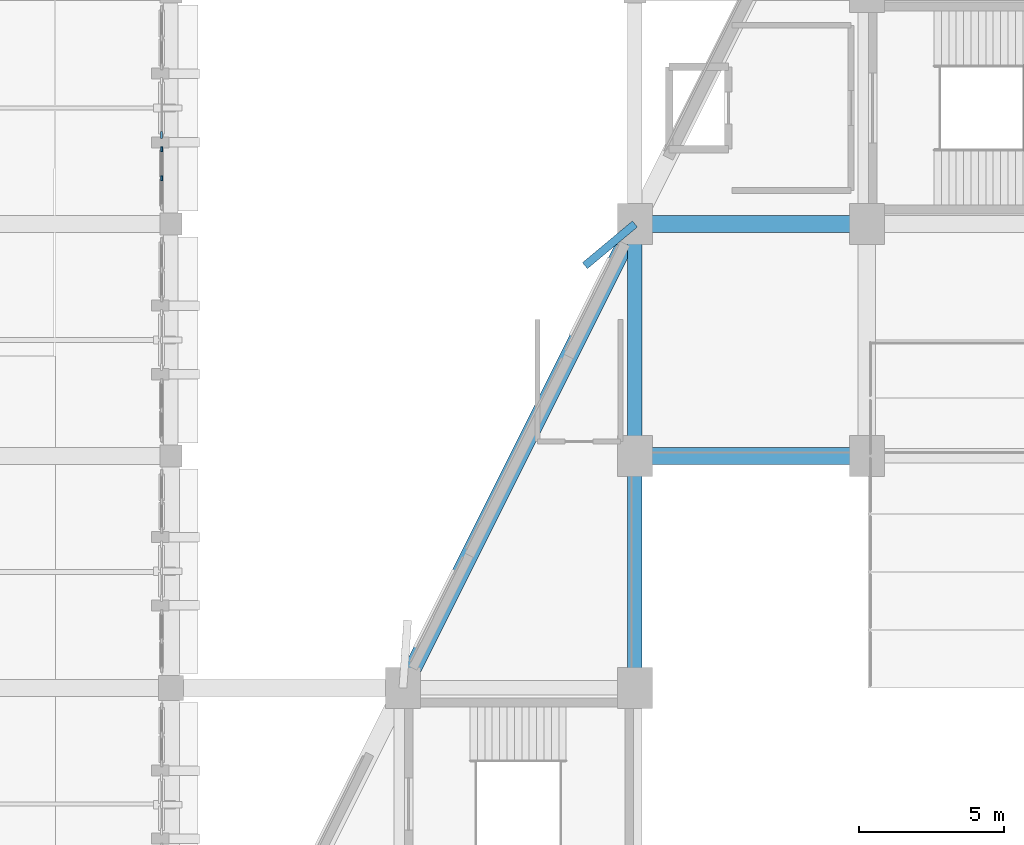
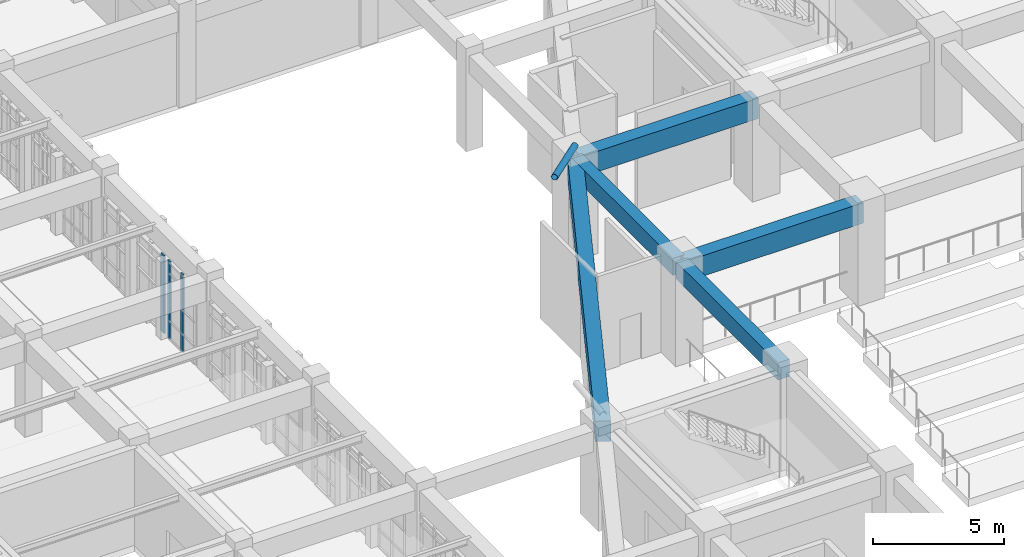
# One storey, part 25 of 155: 5 beams, 4 members, 2 elements without a shape of their own.
"""IFC4 building model written with IfcOpenShell, lengths in metres."""

from ifc_helpers import new_model, si_unit, direction, frame, origin, origin_2d, place, context, subcontext, project, spatial, rectangle, hollow_circle, extrude, material, layer, layer_set, material_profile, profile_set, type_object, element, aggregate, save


model = new_model("IFC4")

# Units and contexts
model_context = context("Model", 3, precision=1e-05, world=origin(), true_north=direction((0.0, 1.0)))
body_context = subcontext(model_context, "Body", "Model", "MODEL_VIEW")
ifc_project = project(units=[si_unit("LENGTHUNIT", "METRE"), si_unit("AREAUNIT", "SQUARE_METRE"), si_unit("VOLUMEUNIT", "CUBIC_METRE"), si_unit("PLANEANGLEUNIT", "RADIAN"), si_unit("MASSUNIT", "GRAM", prefix="KILO")], contexts=[model_context])

# Site, building, storey
site_placement = place(None, origin())
site = spatial("IfcSite", under=ifc_project, at=site_placement, CompositionType="ELEMENT")
building_placement = place(site_placement, origin())
building = spatial("IfcBuilding", under=site, at=building_placement, Name="Tazarka Park Arena", CompositionType="ELEMENT")
storey_placement = place(building_placement, frame((0.0, 0.0, 5.39990234375)))
storey = spatial("IfcBuildingStorey", under=building, at=storey_placement, Name="L01", CompositionType="ELEMENT", Elevation=5.39990234375)

# Beams
ifc_material_1 = material(Name="Concrete C40/50", Category="concrete")
ifc_material_profile_1 = material_profile(ifc_material_1, rectangle(XDim=0.60009765625, YDim=0.949951171875, at=origin_2d()), Name="Concrete C40/50")
ifc_profile_set_1 = profile_set([ifc_material_profile_1], Name="Concrete C40/50")
beam_type_1 = type_object("IfcBeamType", Name="BM-B-03", PredefinedType="BEAM", material=ifc_profile_set_1)
for number, where, z_axis, x_axis, name in (
    (1, (56.1201171875, 88.0, 3.945068359375), (1.0, 0.0, 0.0), (0.0, 1.0, 0.0), "GXM-L01-07-11"),
    (2, (56.1201171875, 96.0, 3.945068359375), (1.0, 0.0, 0.0), (0.0, 1.0, 0.0), "GXM-L01-07-12"),
):
    element("IfcBeam", number, at=place(storey_placement, frame(where, z_axis=z_axis, x_axis=x_axis)), inside=storey, type_object=beam_type_1, Name=name, PredefinedType="BEAM", context=body_context, shape_type="SweptSolid", body=[
        extrude(rectangle(XDim=0.60009765625, YDim=0.949951171875, at=origin_2d()), origin(), (0.0, 0.0, 1.0), 7.759765625),
    ])
ifc_material_2 = material(Name="Concrete C40/50", Category="concrete")
ifc_material_profile_2 = material_profile(ifc_material_2, rectangle(XDim=0.5, YDim=0.800048828125, at=origin_2d()), Name="Concrete C40/50")
ifc_profile_set_2 = profile_set([ifc_material_profile_2], Name="Concrete C40/50")
beam_type_2 = type_object("IfcBeamType", Name="BM-SP-01", PredefinedType="SPANDREL", material=ifc_profile_set_2)
for number, where, z_axis, x_axis, name in (
    (3, (56.0, 80.1201171875, 4.02001953125), (0.0, 1.0, 0.0), (-1.0, 0.0, 0.0), "GYM-L01-07-10"),
    (4, (56.0, 88.1201171875, 4.02001953125), (0.0, 1.0, 0.0), (-1.0, 0.0, 0.0), "GYM-L01-07-11"),
):
    element("IfcBeam", number, at=place(storey_placement, frame(where, z_axis=z_axis, x_axis=x_axis)), inside=storey, type_object=beam_type_2, Name=name, PredefinedType="SPANDREL", context=body_context, shape_type="SweptSolid", body=[
        extrude(rectangle(XDim=0.5, YDim=0.800048828125, at=origin_2d()), origin(), (0.0, 0.0, 1.0), 7.759765625),
    ])
ifc_material_3 = material(Name="Concrete C40/50", Category="concrete")
ifc_material_profile_3 = material_profile(ifc_material_3, rectangle(XDim=0.60009765625, YDim=0.949951171875, at=origin_2d()), Name="Concrete C40/50")
ifc_profile_set_3 = profile_set([ifc_material_profile_3], Name="Concrete C40/50")
beam_type_3 = type_object("IfcBeamType", Name="BM-SP-03", PredefinedType="SPANDREL", material=ifc_profile_set_3)
beam_placement = place(storey_placement, frame((55.9462890625, 95.892578125, 3.945068359375), z_axis=(-0.4472135955, -0.894427191, 0.0), x_axis=(0.894427191, -0.4472135955, 0.0)))
element("IfcBeam", 5, at=beam_placement, inside=storey, type_object=beam_type_3, Name="RING BEAM SP-03-L01-20", PredefinedType="SPANDREL", context=body_context, shape_type="SweptSolid", body=[
    extrude(rectangle(XDim=0.60009765625, YDim=0.949951171875, at=origin_2d()), origin(), (0.0, 0.0, 1.0), 17.6484375),
])

# Curtain wall, members
ifc_material_4 = material(Name="Aluminium and low-e glass", Category="aluminium")
ifc_layer_1 = layer(ifc_material_4, 0.179931640625, Name="Aluminium and low-e glass")
ifc_layer_set_1 = layer_set([ifc_layer_1], Name="Aluminium and low-e glass")
curtain_wall_type_1 = type_object("IfcCurtainWallType", Name="CW-30", PredefinedType="NOTDEFINED", material=ifc_layer_set_1)
curtain_wall_1_placement = place(storey_placement, origin())
curtain_wall_1 = element("IfcCurtainWall", 6, at=curtain_wall_1_placement, inside=storey, type_object=curtain_wall_type_1, Name="Curtain Wall CWA-L01-120", PredefinedType="NOTDEFINED")
ifc_material_5 = material(Name="Aluminium 6060-T66", Category="aluminium")
ifc_material_profile_4 = material_profile(ifc_material_5, rectangle(XDim=0.06494140625, YDim=0.179931640625, at=origin_2d()), Name="Aluminium 6060-T66")
ifc_profile_set_4 = profile_set([ifc_material_profile_4], Name="Aluminium 6060-T66")
member_type_1 = type_object("IfcMemberType", Name="CWM-01", PredefinedType="MULLION", material=ifc_profile_set_4)
member_1_placement = place(storey_placement, frame((39.679931640625, 98.57568359375, 0.0), z_axis=(0.0, 0.0, 1.0), x_axis=(1.0, 0.0, 0.0)))
member_1 = element("IfcMember", 7, at=member_1_placement, type_object=member_type_1, Name="CW-30 mullion 1", PredefinedType="MULLION", context=body_context, shape_type="SweptSolid", body=[
    extrude(rectangle(XDim=0.06494140625, YDim=0.179931640625, at=origin_2d()), origin(), (0.0, 0.0, 1.0), 3.60009765625),
])
member_2_placement = place(storey_placement, frame((39.679931640625, 97.58154296875, 0.0), z_axis=(0.0, 0.0, 1.0), x_axis=(1.0, 0.0, 0.0)))
member_2 = element("IfcMember", 8, at=member_2_placement, type_object=member_type_1, Name="CW-30 mullion 2", PredefinedType="MULLION", context=body_context, shape_type="SweptSolid", body=[
    extrude(rectangle(XDim=0.06494140625, YDim=0.179931640625, at=origin_2d()), origin(), (0.0, 0.0, 1.0), 3.60009765625),
])
aggregate(curtain_wall_1, [member_1, member_2])

# Curtain wall, member
ifc_material_6 = material(Name="Aluminium and low-e glass", Category="aluminium")
ifc_layer_2 = layer(ifc_material_6, 0.179931640625, Name="Aluminium and low-e glass")
ifc_layer_set_2 = layer_set([ifc_layer_2], Name="Aluminium and low-e glass")
curtain_wall_type_2 = type_object("IfcCurtainWallType", Name="CW-29", PredefinedType="NOTDEFINED", material=ifc_layer_set_2)
curtain_wall_2_placement = place(storey_placement, origin())
curtain_wall_2 = element("IfcCurtainWall", 9, at=curtain_wall_2_placement, inside=storey, type_object=curtain_wall_type_2, Name="Curtain Wall CWA-L01-119", PredefinedType="NOTDEFINED")
ifc_material_7 = material(Name="Aluminium 6060-T66", Category="aluminium")
ifc_material_profile_5 = material_profile(ifc_material_7, rectangle(XDim=0.074951171875, YDim=0.25, at=origin_2d()), Name="Aluminium 6060-T66")
ifc_profile_set_5 = profile_set([ifc_material_profile_5], Name="Aluminium 6060-T66")
member_type_2 = type_object("IfcMemberType", Name="CWM-03", PredefinedType="MULLION", material=ifc_profile_set_5)
member_3_placement = place(storey_placement, frame((39.679931640625, 99.06591796875, 0.0), z_axis=(0.0, 0.0, 1.0), x_axis=(1.0, 0.0, 0.0)))
member_3 = element("IfcMember", 10, at=member_3_placement, type_object=member_type_2, Name="CW-29 mullion 2", PredefinedType="MULLION", context=body_context, shape_type="SweptSolid", body=[
    extrude(rectangle(XDim=0.074951171875, YDim=0.25, at=origin_2d()), origin(), (0.0, 0.0, 1.0), 3.60009765625),
])
aggregate(curtain_wall_2, [member_3])

# Member
ifc_material_8 = material(Name="Steel S355", Category="steel")
ifc_material_profile_6 = material_profile(ifc_material_8, hollow_circle(Radius=0.136474609375, WallThickness=0.012451171875, at=origin_2d()), Name="Steel S355")
ifc_profile_set_6 = profile_set([ifc_material_profile_6], Name="Steel S355")
member_type_3 = type_object("IfcMemberType", Name="MEM-SR-01", PredefinedType="STRUT", material=ifc_profile_set_6)
member_4_placement = place(storey_placement, frame((56.0, 96.0, 4.800048828125), z_axis=(-0.768194541447, -0.640216484082, 0.0), x_axis=(0.640216484082, -0.768194541447, 0.0)))
element("IfcMember", 11, at=member_4_placement, inside=storey, type_object=member_type_3, Name="FSB-19", PredefinedType="STRUT", context=body_context, shape_type="SweptSolid", body=[
    extrude(hollow_circle(Radius=0.136474609375, WallThickness=0.012451171875, at=origin_2d()), origin(), (0.0, 0.0, 1.0), 2.245361328125),
])

save(model, "model.ifc")
